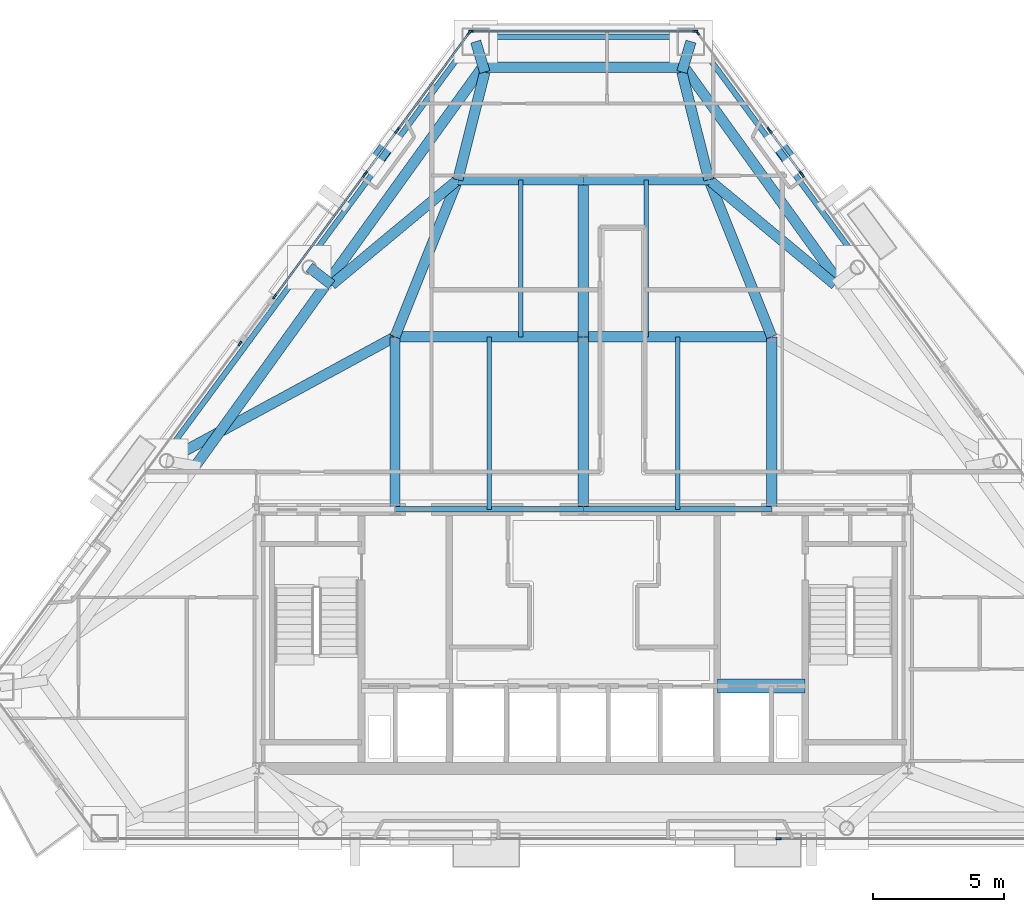
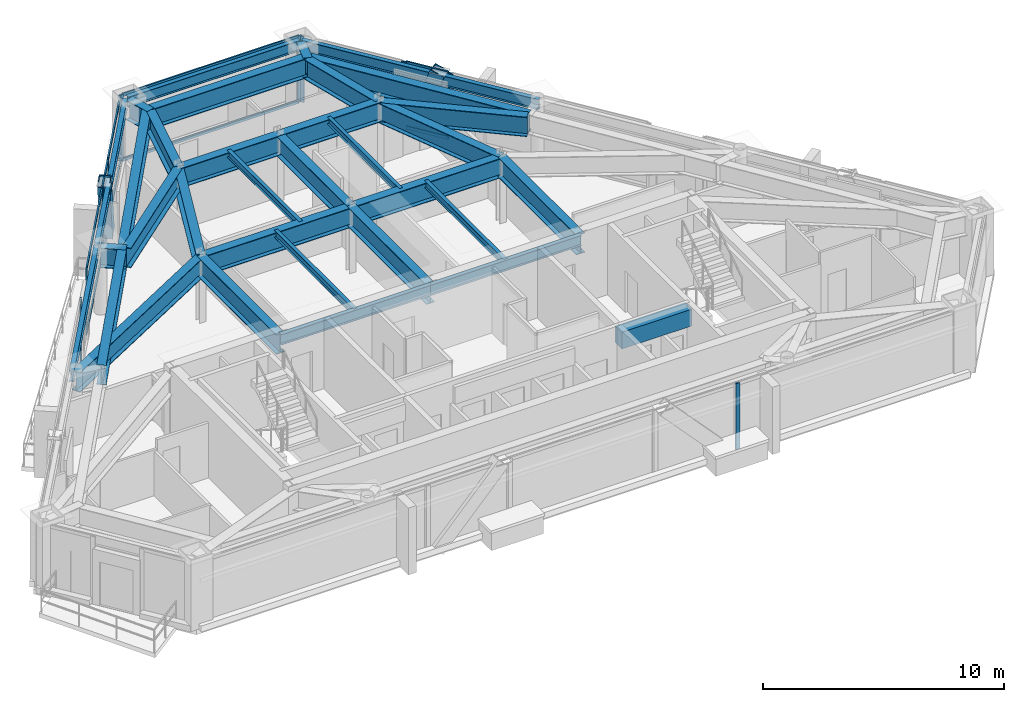
# One storey, part 4 of 12: 33 beams, 27 members, 9 elements without a shape of their own.
"""IFC4 building model written with IfcOpenShell, lengths in metres."""

from ifc_helpers import new_model, si_unit, direction, frame, origin, origin_2d, place, context, subcontext, project, spatial, rectangle, hollow_rectangle, i_section, extrude, material, layer, layer_set, material_profile, profile_set, type_object, element, aggregate, save


model = new_model("IFC4")

# Units and contexts
model_context = context("Model", 3, precision=1e-05, world=origin(), true_north=direction((0.0, 1.0)))
body_context = subcontext(model_context, "Body", "Model", "MODEL_VIEW")
ifc_project = project(units=[si_unit("LENGTHUNIT", "METRE"), si_unit("AREAUNIT", "SQUARE_METRE"), si_unit("VOLUMEUNIT", "CUBIC_METRE"), si_unit("PLANEANGLEUNIT", "RADIAN"), si_unit("MASSUNIT", "GRAM", prefix="KILO")], contexts=[model_context])

# Site, building, storey
site_placement = place(None, origin())
site = spatial("IfcSite", under=ifc_project, at=site_placement, CompositionType="ELEMENT")
building_placement = place(site_placement, origin())
building = spatial("IfcBuilding", under=site, at=building_placement, Name="Talgorran Terracotta Tower", CompositionType="ELEMENT")
storey_placement = place(building_placement, frame((0.0, 0.0, 182.10009765625)))
storey = spatial("IfcBuildingStorey", under=building, at=storey_placement, Name="L47", CompositionType="ELEMENT", Elevation=182.10009765625)

# Beams
ifc_material_1 = material(Name="Steel Grade 350 (350L0)", Category="steel")
ifc_material_profile_1 = material_profile(ifc_material_1, i_section(OverallWidth=0.39990234375, OverallDepth=1.0, WebThickness=0.01611328125, FlangeThickness=0.031005859375, at=origin_2d()), Name="1000WB296")
ifc_profile_set_1 = profile_set([ifc_material_profile_1], Name="Steel Grade 350 (350L0)")
beam_type_1 = type_object("IfcBeamType", Name="BM_1000WB296", PredefinedType="BEAM", material=ifc_profile_set_1)
beam_1_placement = place(storey_placement, frame((9.7666015625, 4.495849609375, 2.849853515625), z_axis=(-0.584392033232, 0.811471473001, 0.0), x_axis=(-0.811471473001, -0.584392033232, 0.0)))
element("IfcBeam", 1, at=beam_1_placement, inside=storey, type_object=beam_type_1, Name="L47 Setback Inner Spandrel Girder 8", PredefinedType="BEAM", context=body_context, shape_type="SweptSolid", body=[
    extrude(i_section(OverallWidth=0.39990234375, OverallDepth=1.0, WebThickness=0.01611328125, FlangeThickness=0.031005859375, at=origin_2d()), origin(), (0.0, 0.0, 1.0), 10.01806640625),
])
beam_2_placement = place(storey_placement, frame((3.765869140625, 12.7001953125, 2.849853515625), z_axis=(-1.0, 0.0, 0.0), x_axis=(0.0, -1.0, 0.0)))
element("IfcBeam", 2, at=beam_2_placement, inside=storey, type_object=beam_type_1, Name="L47 Setback Inner Spandrel Girder 9", PredefinedType="BEAM", context=body_context, shape_type="SweptSolid", body=[
    extrude(i_section(OverallWidth=0.39990234375, OverallDepth=1.0, WebThickness=0.01611328125, FlangeThickness=0.031005859375, at=origin_2d()), origin(), (0.0, 0.0, 1.0), 7.53173828125),
])
beam_3_placement = place(storey_placement, frame((-3.912109375, 12.625244140625, 2.849853515625), z_axis=(-0.584392033232, -0.811471473001, 0.0), x_axis=(0.811471473001, -0.584392033232, 0.0)))
element("IfcBeam", 3, at=beam_3_placement, inside=storey, type_object=beam_type_1, Name="L47 Setback Inner Spandrel Girder 10", PredefinedType="BEAM", context=body_context, shape_type="SweptSolid", body=[
    extrude(i_section(OverallWidth=0.39990234375, OverallDepth=1.0, WebThickness=0.01611328125, FlangeThickness=0.031005859375, at=origin_2d()), origin(), (0.0, 0.0, 1.0), 10.01806640625),
])
beam_4_placement = place(storey_placement, frame((-9.7666015625, 4.495849609375, 2.849853515625), z_axis=(-0.584426052547, -0.811446972453, 0.0), x_axis=(0.811446972453, -0.584426052547, 0.0)))
element("IfcBeam", 4, at=beam_4_placement, inside=storey, type_object=beam_type_1, Name="L47 Setback Inner Spandrel Girder 11", PredefinedType="BEAM", context=body_context, shape_type="SweptSolid", body=[
    extrude(i_section(OverallWidth=0.39990234375, OverallDepth=1.0, WebThickness=0.01611328125, FlangeThickness=0.031005859375, at=origin_2d()), origin(), (0.0, 0.0, 1.0), 8.587158203125),
])
beam_5_placement = place(storey_placement, frame((4.114013671875, 13.68359375, 2.849853515625), z_axis=(-0.286647023316, -0.958036264462, 0.0), x_axis=(0.958036264462, -0.286647023316, 0.0)))
element("IfcBeam", 5, at=beam_5_placement, inside=storey, type_object=beam_type_1, Name="L47 Perimeter Step Girder 9A", PredefinedType="BEAM", context=body_context, shape_type="SweptSolid", body=[
    extrude(i_section(OverallWidth=0.39990234375, OverallDepth=1.0, WebThickness=0.01611328125, FlangeThickness=0.031005859375, at=origin_2d()), origin(), (0.0, 0.0, 1.0), 1.214599609375),
])
beam_6_placement = place(storey_placement, frame((3.765869140625, 12.52001953125, 2.849853515625), z_axis=(0.243455082021, -0.969912172848, 0.0), x_axis=(0.969912172848, 0.243455082021, 0.0)))
element("IfcBeam", 6, at=beam_6_placement, inside=storey, type_object=beam_type_1, Name="L47 Perimeter Step Girder 9B", PredefinedType="BEAM", context=body_context, shape_type="SweptSolid", body=[
    extrude(i_section(OverallWidth=0.39990234375, OverallDepth=1.0, WebThickness=0.01611328125, FlangeThickness=0.031005859375, at=origin_2d()), origin(), (0.0, 0.0, 1.0), 4.248046875),
])
beam_7_placement = place(storey_placement, frame((-4.114013671875, 13.68359375, 2.849853515625), z_axis=(0.286647023316, -0.958036264462, 0.0), x_axis=(0.958036264462, 0.286647023316, 0.0)))
element("IfcBeam", 7, at=beam_7_placement, inside=storey, type_object=beam_type_1, Name="L47 Perimeter Step Girder 10A", PredefinedType="BEAM", context=body_context, shape_type="SweptSolid", body=[
    extrude(i_section(OverallWidth=0.39990234375, OverallDepth=1.0, WebThickness=0.01611328125, FlangeThickness=0.031005859375, at=origin_2d()), origin(), (0.0, 0.0, 1.0), 1.214599609375),
])
beam_8_placement = place(storey_placement, frame((-3.765869140625, 12.52001953125, 2.849853515625), z_axis=(-0.243455082021, -0.969912172848, 0.0), x_axis=(0.969912172848, -0.243455082021, 0.0)))
element("IfcBeam", 8, at=beam_8_placement, inside=storey, type_object=beam_type_1, Name="L47 Perimeter Step Girder 10B", PredefinedType="BEAM", context=body_context, shape_type="SweptSolid", body=[
    extrude(i_section(OverallWidth=0.39990234375, OverallDepth=1.0, WebThickness=0.01611328125, FlangeThickness=0.031005859375, at=origin_2d()), origin(), (0.0, 0.0, 1.0), 4.248046875),
])
beam_9_placement = place(storey_placement, frame((-10.47705078125, 5.0546875, 2.849853515625), z_axis=(0.790273232006, -0.612754615466, 0.0), x_axis=(0.612754615466, 0.790273232006, 0.0)))
element("IfcBeam", 9, at=beam_9_placement, inside=storey, type_object=beam_type_1, Name="L47 Perimeter Step Girder 11A", PredefinedType="BEAM", context=body_context, shape_type="SweptSolid", body=[
    extrude(i_section(OverallWidth=0.39990234375, OverallDepth=1.0, WebThickness=0.01611328125, FlangeThickness=0.031005859375, at=origin_2d()), origin(), (0.0, 0.0, 1.0), 1.083740234375),
])
for number, where, z_axis, x_axis, name in (
    (10, (-7.199951171875, -4.199951171875, 2.849853515625), (0.0, 1.0, 0.0), (-1.0, 0.0, 0.0), "L47 Floor Girder G01"),
    (11, (0.0, -4.199951171875, 2.849853515625), (0.0, 1.0, 0.0), (-1.0, 0.0, 0.0), "L47 Floor Girder G02"),
    (12, (7.199951171875, -4.199951171875, 2.849853515625), (0.0, 1.0, 0.0), (-1.0, 0.0, 0.0), "L47 Floor Girder G03"),
):
    element("IfcBeam", number, at=place(storey_placement, frame(where, z_axis=z_axis, x_axis=x_axis)), inside=storey, type_object=beam_type_1, Name=name, PredefinedType="BEAM", context=body_context, shape_type="SweptSolid", body=[
        extrude(i_section(OverallWidth=0.39990234375, OverallDepth=1.0, WebThickness=0.01611328125, FlangeThickness=0.031005859375, at=origin_2d()), origin(), (0.0, 0.0, 1.0), 6.599853515625),
    ])
for number, where, z_axis, x_axis, name in (
    (13, (-7.199951171875, 2.39990234375, 2.849853515625), (1.0, 0.0, 0.0), (0.0, 1.0, 0.0), "L47 Floor Girder G04"),
    (14, (0.0, 2.39990234375, 2.849853515625), (1.0, 0.0, 0.0), (0.0, 1.0, 0.0), "L47 Floor Girder G05"),
):
    element("IfcBeam", number, at=place(storey_placement, frame(where, z_axis=z_axis, x_axis=x_axis)), inside=storey, type_object=beam_type_1, Name=name, PredefinedType="BEAM", context=body_context, shape_type="SweptSolid", body=[
        extrude(i_section(OverallWidth=0.39990234375, OverallDepth=1.0, WebThickness=0.01611328125, FlangeThickness=0.031005859375, at=origin_2d()), origin(), (0.0, 0.0, 1.0), 7.199951171875),
    ])
beam_10_placement = place(storey_placement, frame((-7.199951171875, 2.39990234375, 2.849853515625), z_axis=(-0.878788070387, -0.477212245594, 0.0), x_axis=(0.477212245594, -0.878788070387, 0.0)))
element("IfcBeam", 15, at=beam_10_placement, inside=storey, type_object=beam_type_1, Name="L47 Floor Girder G06", PredefinedType="BEAM", context=body_context, shape_type="SweptSolid", body=[
    extrude(i_section(OverallWidth=0.39990234375, OverallDepth=1.0, WebThickness=0.01611328125, FlangeThickness=0.031005859375, at=origin_2d()), origin(), (0.0, 0.0, 1.0), 9.935302734375),
])
beam_11_placement = place(storey_placement, frame((-7.199951171875, 2.39990234375, 2.849853515625), z_axis=(0.371377648723, 0.928481901832, 0.0), x_axis=(-0.928481901832, 0.371377648723, 0.0)))
element("IfcBeam", 16, at=beam_11_placement, inside=storey, type_object=beam_type_1, Name="L47 Floor Girder G08", PredefinedType="BEAM", context=body_context, shape_type="SweptSolid", body=[
    extrude(i_section(OverallWidth=0.39990234375, OverallDepth=1.0, WebThickness=0.01611328125, FlangeThickness=0.031005859375, at=origin_2d()), origin(), (0.0, 0.0, 1.0), 6.462158203125),
])
beam_12_placement = place(storey_placement, frame((0.0, 2.39990234375, 2.849853515625), z_axis=(0.0, 1.0, 0.0), x_axis=(-1.0, 0.0, 0.0)))
element("IfcBeam", 17, at=beam_12_placement, inside=storey, type_object=beam_type_1, Name="L47 Floor Girder G09", PredefinedType="BEAM", context=body_context, shape_type="SweptSolid", body=[
    extrude(i_section(OverallWidth=0.39990234375, OverallDepth=1.0, WebThickness=0.01611328125, FlangeThickness=0.031005859375, at=origin_2d()), origin(), (0.0, 0.0, 1.0), 6.0),
])
beam_13_placement = place(storey_placement, frame((7.199951171875, 2.39990234375, 2.849853515625), z_axis=(-0.371377648723, 0.928481901832, 0.0), x_axis=(-0.928481901832, -0.371377648723, 0.0)))
element("IfcBeam", 18, at=beam_13_placement, inside=storey, type_object=beam_type_1, Name="L47 Floor Girder G10", PredefinedType="BEAM", context=body_context, shape_type="SweptSolid", body=[
    extrude(i_section(OverallWidth=0.39990234375, OverallDepth=1.0, WebThickness=0.01611328125, FlangeThickness=0.031005859375, at=origin_2d()), origin(), (0.0, 0.0, 1.0), 6.462158203125),
])
for number, where, z_axis, x_axis, name in (
    (19, (-4.800048828125, 8.39990234375, 2.849853515625), (1.0, 0.0, 0.0), (0.0, 1.0, 0.0), "L47 Floor Girder G11"),
    (20, (0.0, 8.39990234375, 2.849853515625), (1.0, 0.0, 0.0), (0.0, 1.0, 0.0), "L47 Floor Girder G12"),
):
    element("IfcBeam", number, at=place(storey_placement, frame(where, z_axis=z_axis, x_axis=x_axis)), inside=storey, type_object=beam_type_1, Name=name, PredefinedType="BEAM", context=body_context, shape_type="SweptSolid", body=[
        extrude(i_section(OverallWidth=0.39990234375, OverallDepth=1.0, WebThickness=0.01611328125, FlangeThickness=0.031005859375, at=origin_2d()), origin(), (0.0, 0.0, 1.0), 4.800048828125),
    ])
for number, where, z_axis, x_axis, name in (
    (21, (-4.800048828125, 8.39990234375, 2.849853515625), (-0.768836915255, -0.639444913766, 0.0), (0.639444913766, -0.768836915255, 0.0), "L47 Floor Girder G13"),
    (22, (4.800048828125, 8.39990234375, 2.849853515625), (0.768836915255, -0.639444913766, 0.0), (0.639444913766, 0.768836915255, 0.0), "L47 Floor Girder G14"),
):
    element("IfcBeam", number, at=place(storey_placement, frame(where, z_axis=z_axis, x_axis=x_axis)), inside=storey, type_object=beam_type_1, Name=name, PredefinedType="BEAM", context=body_context, shape_type="SweptSolid", body=[
        extrude(i_section(OverallWidth=0.39990234375, OverallDepth=1.0, WebThickness=0.01611328125, FlangeThickness=0.031005859375, at=origin_2d()), origin(), (0.0, 0.0, 1.0), 6.27001953125),
    ])
ifc_material_2 = material(Name="Concrete C50/60", Category="concrete")
ifc_material_profile_2 = material_profile(ifc_material_2, rectangle(XDim=0.550048828125, YDim=0.85009765625, at=origin_2d()), Name="RCCB550X850")
ifc_profile_set_2 = profile_set([ifc_material_profile_2], Name="Concrete C50/60")
beam_type_2 = type_object("IfcBeamType", Name="BM_CB_550X850", PredefinedType="LINTEL", material=ifc_profile_set_2)
beam_14_placement = place(storey_placement, frame((5.1201171875, -10.949951171875, 2.9248046875), z_axis=(1.0, 0.0, 0.0), x_axis=(0.0, 1.0, 0.0)))
element("IfcBeam", 23, at=beam_14_placement, inside=storey, type_object=beam_type_2, Name="L47 Core Shear-Wall Coupling Beam CB3", PredefinedType="LINTEL", context=body_context, shape_type="SweptSolid", body=[
    extrude(rectangle(XDim=0.550048828125, YDim=0.85009765625, at=origin_2d()), origin(), (0.0, 0.0, 1.0), 3.35986328125),
])
ifc_material_3 = material(Name="Steel S355 (300PLUS)", Category="steel")
ifc_material_profile_3 = material_profile(ifc_material_3, i_section(OverallWidth=0.17138671875, OverallDepth=0.355712890625, WebThickness=0.00732421875, FlangeThickness=0.011474609375, at=origin_2d()), Name="360UB50.7")
ifc_profile_set_3 = profile_set([ifc_material_profile_3], Name="Steel S355 (300PLUS)")
beam_type_3 = type_object("IfcBeamType", Name="BM_JS_360UB51", PredefinedType="JOIST", material=ifc_profile_set_3)
for number, where, z_axis, x_axis, name in (
    (24, (-3.60009765625, -4.199951171875, 3.172119140625), (0.0, 1.0, 0.0), (-1.0, 0.0, 0.0), "L47 Secondary Joist J01"),
    (25, (3.60009765625, -4.199951171875, 3.172119140625), (0.0, 1.0, 0.0), (-1.0, 0.0, 0.0), "L47 Secondary Joist J02"),
):
    element("IfcBeam", number, at=place(storey_placement, frame(where, z_axis=z_axis, x_axis=x_axis)), inside=storey, type_object=beam_type_3, Name=name, PredefinedType="JOIST", context=body_context, shape_type="SweptSolid", body=[
        extrude(i_section(OverallWidth=0.17138671875, OverallDepth=0.355712890625, WebThickness=0.00732421875, FlangeThickness=0.011474609375, at=origin_2d()), origin(), (0.0, 0.0, 1.0), 6.599853515625),
    ])
for number, where, z_axis, x_axis, name in (
    (26, (-2.39990234375, 2.39990234375, 3.172119140625), (0.0, 1.0, 0.0), (-1.0, 0.0, 0.0), "L47 Secondary Joist J03"),
    (27, (2.39990234375, 2.39990234375, 3.172119140625), (0.0, 1.0, 0.0), (-1.0, 0.0, 0.0), "L47 Secondary Joist J04"),
):
    element("IfcBeam", number, at=place(storey_placement, frame(where, z_axis=z_axis, x_axis=x_axis)), inside=storey, type_object=beam_type_3, Name=name, PredefinedType="JOIST", context=body_context, shape_type="SweptSolid", body=[
        extrude(i_section(OverallWidth=0.17138671875, OverallDepth=0.355712890625, WebThickness=0.00732421875, FlangeThickness=0.011474609375, at=origin_2d()), origin(), (0.0, 0.0, 1.0), 6.0),
    ])
ifc_material_profile_4 = material_profile(ifc_material_3, i_section(OverallWidth=0.209228515625, OverallDepth=0.532958984375, WebThickness=0.01025390625, FlangeThickness=0.015625, at=origin_2d()), Name="530UB92.4")
ifc_profile_set_4 = profile_set([ifc_material_profile_4], Name="Steel S355 (300PLUS)")
beam_type_4 = type_object("IfcBeamType", Name="BM_SP_530UB92", PredefinedType="SPANDREL", material=ifc_profile_set_4)
beam_15_placement = place(storey_placement, frame((10.621826171875, 5.16162109375, 3.08349609375), z_axis=(-0.593491072878, 0.804840572048, 0.0), x_axis=(-0.804840572048, -0.593491072878, 0.0)))
element("IfcBeam", 28, at=beam_15_placement, inside=storey, type_object=beam_type_4, Name="L47 Perimeter Spandrel Beam FC4-MC5", PredefinedType="SPANDREL", context=body_context, shape_type="SweptSolid", body=[
    extrude(i_section(OverallWidth=0.209228515625, OverallDepth=0.532958984375, WebThickness=0.01025390625, FlangeThickness=0.015625, at=origin_2d()), origin(), (0.0, 0.0, 1.0), 10.720947265625),
])
beam_16_placement = place(storey_placement, frame((4.114013671875, 13.863525390625, 3.08349609375), z_axis=(-1.0, 0.0, 0.0), x_axis=(0.0, -1.0, 0.0)))
element("IfcBeam", 29, at=beam_16_placement, inside=storey, type_object=beam_type_4, Name="L47 Perimeter Spandrel Beam MC5-MC6", PredefinedType="SPANDREL", context=body_context, shape_type="SweptSolid", body=[
    extrude(i_section(OverallWidth=0.209228515625, OverallDepth=0.532958984375, WebThickness=0.01025390625, FlangeThickness=0.015625, at=origin_2d()), origin(), (0.0, 0.0, 1.0), 8.22802734375),
])
beam_17_placement = place(storey_placement, frame((-4.259033203125, 13.790283203125, 3.08349609375), z_axis=(-0.593491072878, -0.804840572048, 0.0), x_axis=(0.804840572048, -0.593491072878, 0.0)))
element("IfcBeam", 30, at=beam_17_placement, inside=storey, type_object=beam_type_4, Name="L47 Perimeter Spandrel Beam MC6-FC5", PredefinedType="SPANDREL", context=body_context, shape_type="SweptSolid", body=[
    extrude(i_section(OverallWidth=0.209228515625, OverallDepth=0.532958984375, WebThickness=0.01025390625, FlangeThickness=0.015625, at=origin_2d()), origin(), (0.0, 0.0, 1.0), 10.720947265625),
])
beam_18_placement = place(storey_placement, frame((-10.621826171875, 5.16162109375, 3.08349609375), z_axis=(-0.593498050336, -0.804835426809, 0.0), x_axis=(0.804835426809, -0.593498050336, 0.0)))
element("IfcBeam", 31, at=beam_18_placement, inside=storey, type_object=beam_type_4, Name="L47 Perimeter Spandrel Beam FC5-FC6", PredefinedType="SPANDREL", context=body_context, shape_type="SweptSolid", body=[
    extrude(i_section(OverallWidth=0.209228515625, OverallDepth=0.532958984375, WebThickness=0.01025390625, FlangeThickness=0.015625, at=origin_2d()), origin(), (0.0, 0.0, 1.0), 9.189697265625),
])
for number, where, z_axis, x_axis, name in (
    (32, (-7.199951171875, -4.199951171875, 3.08349609375), (1.0, 0.0, 0.0), (0.0, 1.0, 0.0), "L47 Core Frame Beam CFN2"),
    (33, (0.0, -4.199951171875, 3.08349609375), (1.0, 0.0, 0.0), (0.0, 1.0, 0.0), "L47 Core Frame Beam CFN3"),
):
    element("IfcBeam", number, at=place(storey_placement, frame(where, z_axis=z_axis, x_axis=x_axis)), inside=storey, type_object=beam_type_4, Name=name, PredefinedType="SPANDREL", context=body_context, shape_type="SweptSolid", body=[
        extrude(i_section(OverallWidth=0.209228515625, OverallDepth=0.532958984375, WebThickness=0.01025390625, FlangeThickness=0.015625, at=origin_2d()), origin(), (0.0, 0.0, 1.0), 7.199951171875),
    ])

# Members
ifc_material_profile_5 = material_profile(ifc_material_1, hollow_rectangle(XDim=0.52001953125, YDim=0.659912109375, WallThickness=0.034912109375, at=origin_2d()), Name="WBOX660X520X35")
ifc_profile_set_5 = profile_set([ifc_material_profile_5], Name="Steel Grade 350 (350L0)")
member_type_1 = type_object("IfcMemberType", Name="MB_MEGA_660", PredefinedType="BRACE", material=ifc_profile_set_5)
for number, where, z_axis, x_axis, name in (
    (34, (7.35791015625, 9.891357421875, -0.025146484375), (0.190111846593, -0.257858322159, 0.947294342577), (0.804890374823, 0.593423528787, 0.0), "L47 Exterior Face Mega-Brace MB-3 (NEU)"),
    (35, (-7.35791015625, 9.891357421875, -0.025146484375), (-0.190111846593, -0.257858322159, 0.947294342577), (0.804890374823, -0.593423528787, 0.0), "L47 Exterior Face Mega-Brace MB-3 (NWU)"),
):
    element("IfcMember", number, at=place(storey_placement, frame(where, z_axis=z_axis, x_axis=x_axis)), inside=storey, type_object=member_type_1, Name=name, PredefinedType="BRACE", context=body_context, shape_type="SweptSolid", body=[
        extrude(hollow_rectangle(XDim=0.52001953125, YDim=0.659912109375, WallThickness=0.034912109375, at=origin_2d()), origin(), (0.0, 0.0, 1.0), 3.58935546875),
    ])

# Curtain wall, member
ifc_material_4 = material(Name="High-Wind Unitised Glazing", Category="glass")
ifc_layer = layer(ifc_material_4, 0.2099609375, Name="CW_SYS3_RES_HIGH")
ifc_layer_set = layer_set([ifc_layer], Name="High-Wind Unitised Glazing")
curtain_wall_type = type_object("IfcCurtainWallType", Name="CW_SYS3_RES_HIGH", PredefinedType="NOTDEFINED", material=ifc_layer_set)
curtain_wall_1_placement = place(storey_placement, origin())
curtain_wall_1 = element("IfcCurtainWall", 36, at=curtain_wall_1_placement, inside=storey, type_object=curtain_wall_type, Name="CW-L47-F1E", PredefinedType="NOTDEFINED")
ifc_material_5 = material(Name="Architectural Aluminium 6063-T6", Category="aluminium")
ifc_material_profile_6 = material_profile(ifc_material_5, rectangle(XDim=0.070068359375, YDim=0.199951171875, at=origin_2d()), Name="CWM70X200")
ifc_profile_set_6 = profile_set([ifc_material_profile_6], Name="Architectural Aluminium 6063-T6")
member_type_2 = type_object("IfcMemberType", Name="MUL_70X200", PredefinedType="MULLION", material=ifc_profile_set_6)
member_1_placement = place(storey_placement, frame((7.455810546875, -16.78564453125, 0.0), z_axis=(0.0, 0.0, 1.0), x_axis=(0.0, 1.0, 0.0)))
member_1 = element("IfcMember", 37, at=member_1_placement, type_object=member_type_2, Name="CW-L47-1E mullion 1", PredefinedType="MULLION", context=body_context, shape_type="SweptSolid", body=[
    extrude(rectangle(XDim=0.070068359375, YDim=0.199951171875, at=origin_2d()), origin(), (0.0, 0.0, 1.0), 3.349853515625),
])
aggregate(curtain_wall_1, [member_1])

curtain_wall_2_placement = place(storey_placement, origin())
curtain_wall_2 = element("IfcCurtainWall", 38, at=curtain_wall_2_placement, inside=storey, type_object=curtain_wall_type, Name="CW-L47-F41", PredefinedType="NOTDEFINED")
member_2_placement = place(storey_placement, frame((8.370849609375, 8.5849609375, 0.0), z_axis=(0.0, 0.0, 1.0), x_axis=(-0.804842214482, -0.593488845546, 0.0)))
member_2 = element("IfcMember", 39, at=member_2_placement, type_object=member_type_2, Name="CW-L47-41 mullion 2", PredefinedType="MULLION", context=body_context, shape_type="SweptSolid", body=[
    extrude(rectangle(XDim=0.070068359375, YDim=0.199951171875, at=origin_2d()), origin(), (0.0, 0.0, 1.0), 3.349853515625),
])
aggregate(curtain_wall_2, [member_2])

# Curtain wall, members
curtain_wall_3_placement = place(storey_placement, origin())
curtain_wall_3 = element("IfcCurtainWall", 40, at=curtain_wall_3_placement, inside=storey, type_object=curtain_wall_type, Name="CW-L47-F41B", PredefinedType="NOTDEFINED")
member_3_placement = place(storey_placement, frame((8.3232421875, 8.6494140625, 0.0), z_axis=(0.0, 0.0, 1.0), x_axis=(-0.804848879585, -0.59347980676, 0.0)))
member_3 = element("IfcMember", 41, at=member_3_placement, type_object=member_type_2, Name="CW-L47-41B mullion 1", PredefinedType="MULLION", context=body_context, shape_type="SweptSolid", body=[
    extrude(rectangle(XDim=0.070068359375, YDim=0.199951171875, at=origin_2d()), origin(), (0.0, 0.0, 1.0), 3.349853515625),
])
member_4_placement = place(storey_placement, frame((7.13916015625, 10.255126953125, 0.0), z_axis=(0.0, 0.0, 1.0), x_axis=(-0.804848879585, -0.59347980676, 0.0)))
member_4 = element("IfcMember", 42, at=member_4_placement, type_object=member_type_2, Name="CW-L47-41B mullion 2", PredefinedType="MULLION", context=body_context, shape_type="SweptSolid", body=[
    extrude(rectangle(XDim=0.070068359375, YDim=0.199951171875, at=origin_2d()), origin(), (0.0, 0.0, 1.0), 3.349853515625),
])

curtain_wall_4_placement = place(storey_placement, origin())
curtain_wall_4 = element("IfcCurtainWall", 43, at=curtain_wall_4_placement, inside=storey, type_object=curtain_wall_type, Name="CW-L47-F41C", PredefinedType="NOTDEFINED")
member_5_placement = place(storey_placement, frame((7.091796875, 10.319580078125, 0.0), z_axis=(0.0, 0.0, 1.0), x_axis=(-0.804833582372, -0.593500551546, 0.0)))
member_5 = element("IfcMember", 44, at=member_5_placement, type_object=member_type_2, Name="CW-L47-41C mullion 1", PredefinedType="MULLION", context=body_context, shape_type="SweptSolid", body=[
    extrude(rectangle(XDim=0.070068359375, YDim=0.199951171875, at=origin_2d()), origin(), (0.0, 0.0, 1.0), 3.349853515625),
])
member_6_placement = place(storey_placement, frame((4.360595703125, 14.023193359375, 0.0), z_axis=(0.0, 0.0, 1.0), x_axis=(-0.804833582372, -0.593500551546, 0.0)))
member_6 = element("IfcMember", 45, at=member_6_placement, type_object=member_type_2, Name="CW-L47-41C mullion 2", PredefinedType="MULLION", context=body_context, shape_type="SweptSolid", body=[
    extrude(rectangle(XDim=0.070068359375, YDim=0.199951171875, at=origin_2d()), origin(), (0.0, 0.0, 1.0), 3.349853515625),
])
aggregate(curtain_wall_4, [member_5, member_6])

curtain_wall_5_placement = place(storey_placement, origin())
curtain_wall_5 = element("IfcCurtainWall", 46, at=curtain_wall_5_placement, inside=storey, type_object=curtain_wall_type, Name="CW-L47-F4", PredefinedType="NOTDEFINED")
member_7_placement = place(storey_placement, frame((4.281005859375, 14.08349609375, 0.0), z_axis=(0.0, 0.0, 1.0), x_axis=(0.0, -1.0, 0.0)))
member_7 = element("IfcMember", 47, at=member_7_placement, type_object=member_type_2, Name="CW-L47-4 mullion 1", PredefinedType="MULLION", context=body_context, shape_type="SweptSolid", body=[
    extrude(rectangle(XDim=0.070068359375, YDim=0.199951171875, at=origin_2d()), origin(), (0.0, 0.0, 1.0), 3.349853515625),
])
member_8_placement = place(storey_placement, frame((-4.281005859375, 14.08349609375, 0.0), z_axis=(0.0, 0.0, 1.0), x_axis=(0.0, -1.0, 0.0)))
member_8 = element("IfcMember", 48, at=member_8_placement, type_object=member_type_2, Name="CW-L47-4 mullion 2", PredefinedType="MULLION", context=body_context, shape_type="SweptSolid", body=[
    extrude(rectangle(XDim=0.070068359375, YDim=0.199951171875, at=origin_2d()), origin(), (0.0, 0.0, 1.0), 3.349853515625),
])

curtain_wall_6_placement = place(storey_placement, origin())
curtain_wall_6 = element("IfcCurtainWall", 49, at=curtain_wall_6_placement, inside=storey, type_object=curtain_wall_type, Name="CW-L47-F60", PredefinedType="NOTDEFINED")
member_9_placement = place(storey_placement, frame((-4.360595703125, 14.023193359375, 0.0), z_axis=(0.0, 0.0, 1.0), x_axis=(0.804833582372, -0.593500551546, 0.0)))
member_9 = element("IfcMember", 50, at=member_9_placement, type_object=member_type_2, Name="CW-L47-60 mullion 1", PredefinedType="MULLION", context=body_context, shape_type="SweptSolid", body=[
    extrude(rectangle(XDim=0.070068359375, YDim=0.199951171875, at=origin_2d()), origin(), (0.0, 0.0, 1.0), 3.349853515625),
])
member_10_placement = place(storey_placement, frame((-7.091796875, 10.319580078125, 0.0), z_axis=(0.0, 0.0, 1.0), x_axis=(0.804833582372, -0.593500551546, 0.0)))
member_10 = element("IfcMember", 51, at=member_10_placement, type_object=member_type_2, Name="CW-L47-60 mullion 2", PredefinedType="MULLION", context=body_context, shape_type="SweptSolid", body=[
    extrude(rectangle(XDim=0.070068359375, YDim=0.199951171875, at=origin_2d()), origin(), (0.0, 0.0, 1.0), 3.349853515625),
])

curtain_wall_7_placement = place(storey_placement, origin())
curtain_wall_7 = element("IfcCurtainWall", 52, at=curtain_wall_7_placement, inside=storey, type_object=curtain_wall_type, Name="CW-L47-F60B", PredefinedType="NOTDEFINED")
member_11_placement = place(storey_placement, frame((-7.13916015625, 10.255126953125, 0.0), z_axis=(0.0, 0.0, 1.0), x_axis=(0.804825749538, -0.593511173341, 0.0)))
member_11 = element("IfcMember", 53, at=member_11_placement, type_object=member_type_2, Name="CW-L47-60B mullion 1", PredefinedType="MULLION", context=body_context, shape_type="SweptSolid", body=[
    extrude(rectangle(XDim=0.070068359375, YDim=0.199951171875, at=origin_2d()), origin(), (0.0, 0.0, 1.0), 3.349853515625),
])
member_12_placement = place(storey_placement, frame((-8.3232421875, 8.6494140625, 0.0), z_axis=(0.0, 0.0, 1.0), x_axis=(0.804825749538, -0.593511173341, 0.0)))
member_12 = element("IfcMember", 54, at=member_12_placement, type_object=member_type_2, Name="CW-L47-60B mullion 2", PredefinedType="MULLION", context=body_context, shape_type="SweptSolid", body=[
    extrude(rectangle(XDim=0.070068359375, YDim=0.199951171875, at=origin_2d()), origin(), (0.0, 0.0, 1.0), 3.349853515625),
])

curtain_wall_8_placement = place(storey_placement, origin())
curtain_wall_8 = element("IfcCurtainWall", 55, at=curtain_wall_8_placement, inside=storey, type_object=curtain_wall_type, Name="CW-L47-F60C", PredefinedType="NOTDEFINED")
member_13_placement = place(storey_placement, frame((-8.370849609375, 8.5849609375, 0.0), z_axis=(0.0, 0.0, 1.0), x_axis=(0.804839155759, -0.59349299352, 0.0)))
member_13 = element("IfcMember", 56, at=member_13_placement, type_object=member_type_2, Name="CW-L47-60C mullion 1", PredefinedType="MULLION", context=body_context, shape_type="SweptSolid", body=[
    extrude(rectangle(XDim=0.070068359375, YDim=0.199951171875, at=origin_2d()), origin(), (0.0, 0.0, 1.0), 3.349853515625),
])
member_14_placement = place(storey_placement, frame((-11.7998046875, 3.934814453125, 0.0), z_axis=(0.0, 0.0, 1.0), x_axis=(0.804839155759, -0.59349299352, 0.0)))
member_14 = element("IfcMember", 57, at=member_14_placement, type_object=member_type_2, Name="CW-L47-60C mullion 2", PredefinedType="MULLION", context=body_context, shape_type="SweptSolid", body=[
    extrude(rectangle(XDim=0.070068359375, YDim=0.199951171875, at=origin_2d()), origin(), (0.0, 0.0, 1.0), 3.349853515625),
])

# Curtain wall, member
curtain_wall_9_placement = place(storey_placement, origin())
curtain_wall_9 = element("IfcCurtainWall", 58, at=curtain_wall_9_placement, inside=storey, type_object=curtain_wall_type, Name="CW-L47-F61", PredefinedType="NOTDEFINED")
member_15_placement = place(storey_placement, frame((-13.123291015625, 2.14013671875, 0.0), z_axis=(0.0, 0.0, 1.0), x_axis=(0.804841362084, -0.593490001499, 0.0)))
member_15 = element("IfcMember", 59, at=member_15_placement, type_object=member_type_2, Name="CW-L47-61 mullion 1", PredefinedType="MULLION", context=body_context, shape_type="SweptSolid", body=[
    extrude(rectangle(XDim=0.070068359375, YDim=0.199951171875, at=origin_2d()), origin(), (0.0, 0.0, 1.0), 3.349853515625),
])
aggregate(curtain_wall_9, [member_15])

# Member
ifc_material_profile_7 = material_profile(ifc_material_5, rectangle(XDim=0.070068359375, YDim=0.159912109375, at=origin_2d()), Name="CWT70X160")
ifc_profile_set_7 = profile_set([ifc_material_profile_7], Name="Architectural Aluminium 6063-T6")
member_type_3 = type_object("IfcMemberType", Name="TRN_70X160", PredefinedType="USERDEFINED", material=ifc_profile_set_7)
member_16_placement = place(storey_placement, frame((8.302490234375, 8.677490234375, 0.034912109375), z_axis=(-0.593467194133, 0.804858179736, 0.0), x_axis=(-0.804858179736, -0.593467194133, 0.0)))
member_16 = element("IfcMember", 60, at=member_16_placement, type_object=member_type_3, Name="CW-L47-41B transom 1.1", ObjectType="TRANSOM", PredefinedType="USERDEFINED", context=body_context, shape_type="SweptSolid", body=[
    extrude(rectangle(XDim=0.070068359375, YDim=0.159912109375, at=origin_2d()), origin(), (0.0, 0.0, 1.0), 1.92529296875),
])

member_17_placement = place(storey_placement, frame((8.302490234375, 8.677490234375, 3.31494140625), z_axis=(-0.593467194133, 0.804858179736, 0.0), x_axis=(-0.804858179736, -0.593467194133, 0.0)))
member_17 = element("IfcMember", 61, at=member_17_placement, type_object=member_type_3, Name="CW-L47-41B transom 1.2", ObjectType="TRANSOM", PredefinedType="USERDEFINED", context=body_context, shape_type="SweptSolid", body=[
    extrude(rectangle(XDim=0.070068359375, YDim=0.159912109375, at=origin_2d()), origin(), (0.0, 0.0, 1.0), 1.92529296875),
])

aggregate(curtain_wall_3, [member_3, member_4, member_16, member_17])

member_18_placement = place(storey_placement, frame((4.24609375, 14.08349609375, 0.034912109375), z_axis=(-1.0, 0.0, 0.0), x_axis=(0.0, -1.0, 0.0)))
member_18 = element("IfcMember", 62, at=member_18_placement, type_object=member_type_3, Name="CW-L47-4 transom 1.1", ObjectType="TRANSOM", PredefinedType="USERDEFINED", context=body_context, shape_type="SweptSolid", body=[
    extrude(rectangle(XDim=0.070068359375, YDim=0.159912109375, at=origin_2d()), origin(), (0.0, 0.0, 1.0), 8.4921875),
])

member_19_placement = place(storey_placement, frame((4.24609375, 14.08349609375, 3.31494140625), z_axis=(-1.0, 0.0, 0.0), x_axis=(0.0, -1.0, 0.0)))
member_19 = element("IfcMember", 63, at=member_19_placement, type_object=member_type_3, Name="CW-L47-4 transom 1.2", ObjectType="TRANSOM", PredefinedType="USERDEFINED", context=body_context, shape_type="SweptSolid", body=[
    extrude(rectangle(XDim=0.070068359375, YDim=0.159912109375, at=origin_2d()), origin(), (0.0, 0.0, 1.0), 8.4921875),
])

aggregate(curtain_wall_5, [member_7, member_8, member_18, member_19])

member_20_placement = place(storey_placement, frame((-4.38134765625, 13.9951171875, 0.034912109375), z_axis=(-0.593498528357, -0.804835074309, 0.0), x_axis=(0.804835074309, -0.593498528357, 0.0)))
member_20 = element("IfcMember", 64, at=member_20_placement, type_object=member_type_3, Name="CW-L47-60 transom 1.1", ObjectType="TRANSOM", PredefinedType="USERDEFINED", context=body_context, shape_type="SweptSolid", body=[
    extrude(rectangle(XDim=0.070068359375, YDim=0.159912109375, at=origin_2d()), origin(), (0.0, 0.0, 1.0), 4.531982421875),
])

member_21_placement = place(storey_placement, frame((-4.38134765625, 13.9951171875, 3.31494140625), z_axis=(-0.593498528357, -0.804835074309, 0.0), x_axis=(0.804835074309, -0.593498528357, 0.0)))
member_21 = element("IfcMember", 65, at=member_21_placement, type_object=member_type_3, Name="CW-L47-60 transom 1.2", ObjectType="TRANSOM", PredefinedType="USERDEFINED", context=body_context, shape_type="SweptSolid", body=[
    extrude(rectangle(XDim=0.070068359375, YDim=0.159912109375, at=origin_2d()), origin(), (0.0, 0.0, 1.0), 4.531982421875),
])

aggregate(curtain_wall_6, [member_9, member_10, member_20, member_21])

member_22_placement = place(storey_placement, frame((-7.159912109375, 10.22705078125, 0.034912109375), z_axis=(-0.593467194133, -0.804858179736, 0.0), x_axis=(0.804858179736, -0.593467194133, 0.0)))
member_22 = element("IfcMember", 66, at=member_22_placement, type_object=member_type_3, Name="CW-L47-60B transom 1.1", ObjectType="TRANSOM", PredefinedType="USERDEFINED", context=body_context, shape_type="SweptSolid", body=[
    extrude(rectangle(XDim=0.070068359375, YDim=0.159912109375, at=origin_2d()), origin(), (0.0, 0.0, 1.0), 1.92529296875),
])

member_23_placement = place(storey_placement, frame((-7.159912109375, 10.22705078125, 3.31494140625), z_axis=(-0.593467194133, -0.804858179736, 0.0), x_axis=(0.804858179736, -0.593467194133, 0.0)))
member_23 = element("IfcMember", 67, at=member_23_placement, type_object=member_type_3, Name="CW-L47-60B transom 1.2", ObjectType="TRANSOM", PredefinedType="USERDEFINED", context=body_context, shape_type="SweptSolid", body=[
    extrude(rectangle(XDim=0.070068359375, YDim=0.159912109375, at=origin_2d()), origin(), (0.0, 0.0, 1.0), 1.92529296875),
])

aggregate(curtain_wall_7, [member_11, member_12, member_22, member_23])

member_24_placement = place(storey_placement, frame((-8.3916015625, 8.556884765625, 0.034912109375), z_axis=(-0.5934922747, -0.80483968582, 0.0), x_axis=(0.80483968582, -0.5934922747, 0.0)))
member_24 = element("IfcMember", 68, at=member_24_placement, type_object=member_type_3, Name="CW-L47-60C transom 1.1", ObjectType="TRANSOM", PredefinedType="USERDEFINED", context=body_context, shape_type="SweptSolid", body=[
    extrude(rectangle(XDim=0.070068359375, YDim=0.159912109375, at=origin_2d()), origin(), (0.0, 0.0, 1.0), 5.707763671875),
])

member_25_placement = place(storey_placement, frame((-8.3916015625, 8.556884765625, 3.31494140625), z_axis=(-0.5934922747, -0.80483968582, 0.0), x_axis=(0.80483968582, -0.5934922747, 0.0)))
member_25 = element("IfcMember", 69, at=member_25_placement, type_object=member_type_3, Name="CW-L47-60C transom 1.2", ObjectType="TRANSOM", PredefinedType="USERDEFINED", context=body_context, shape_type="SweptSolid", body=[
    extrude(rectangle(XDim=0.070068359375, YDim=0.159912109375, at=origin_2d()), origin(), (0.0, 0.0, 1.0), 5.707763671875),
])

aggregate(curtain_wall_8, [member_13, member_14, member_24, member_25])

save(model, "model.ifc")
